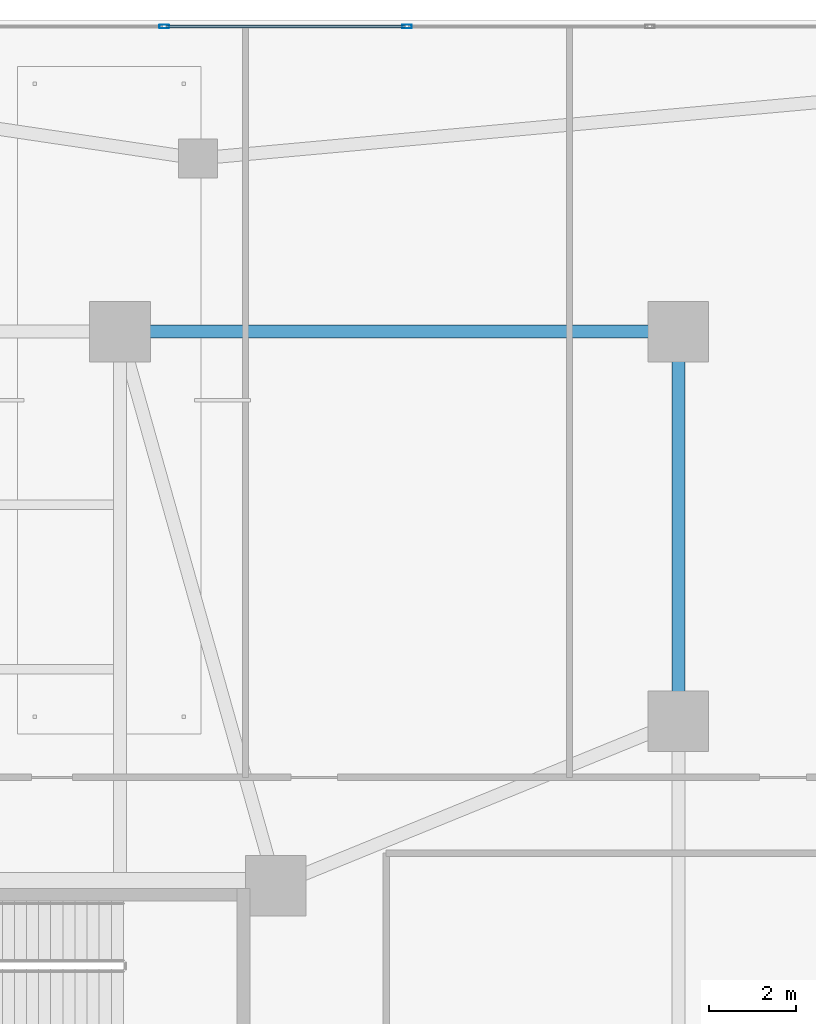
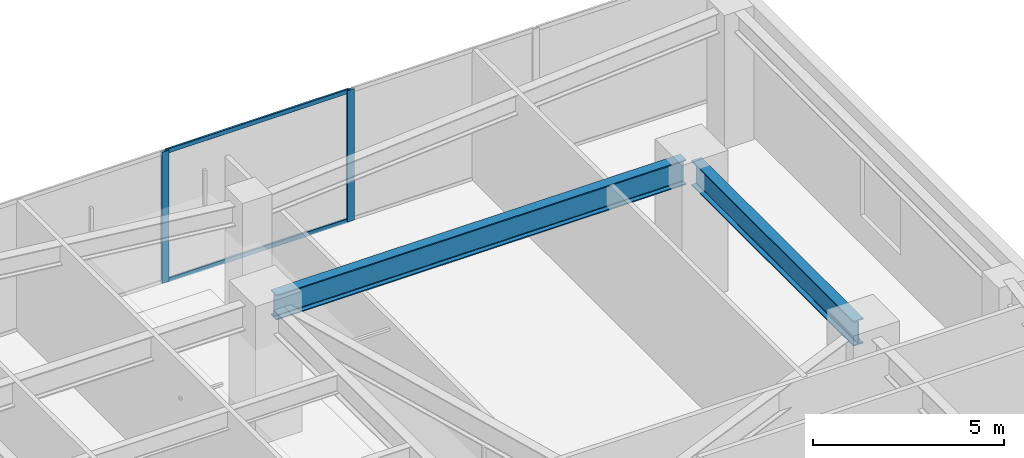
# One storey, part 13 of 29: 4 members, 2 beams, 1 element without a shape of its own.
"""IFC4 building model written with IfcOpenShell, lengths in metres."""

from ifc_helpers import new_model, si_unit, direction, frame, origin, origin_2d, place, context, subcontext, project, spatial, hollow_rectangle, i_section, extrude, material, layer, layer_set, material_profile, profile_set, type_object, element, aggregate, save


model = new_model("IFC4")

# Units and contexts
model_context = context("Model", 3, precision=1e-05, world=origin(), true_north=direction((0.0, 1.0)))
body_context = subcontext(model_context, "Body", "Model", "MODEL_VIEW")
ifc_project = project(units=[si_unit("LENGTHUNIT", "METRE"), si_unit("AREAUNIT", "SQUARE_METRE"), si_unit("VOLUMEUNIT", "CUBIC_METRE"), si_unit("PLANEANGLEUNIT", "RADIAN"), si_unit("MASSUNIT", "GRAM", prefix="KILO")], contexts=[model_context])

# Site, building, storey
site_placement = place(None, origin())
site = spatial("IfcSite", under=ifc_project, at=site_placement, CompositionType="ELEMENT")
building_placement = place(site_placement, origin())
building = spatial("IfcBuilding", under=site, at=building_placement, Name="Tarnavaz Court Tower", CompositionType="ELEMENT")
storey_placement = place(building_placement, frame((0.0, 0.0, 5.39990234375)))
storey = spatial("IfcBuildingStorey", under=building, at=storey_placement, Name="L01", CompositionType="ELEMENT", Elevation=5.39990234375)

# Beams
ifc_material_1 = material(Name="Steel S355", Category="steel")
ifc_material_profile_1 = material_profile(ifc_material_1, i_section(OverallWidth=0.300048828125, OverallDepth=0.800048828125, WebThickness=0.017578125, FlangeThickness=0.032958984375, FilletRadius=0.030029296875, at=origin_2d()), Name="HEB 800")
ifc_profile_set_1 = profile_set([ifc_material_profile_1], Name="Steel S355")
beam_type = type_object("IfcBeamType", Name="BM-G-HEB800", PredefinedType="USERDEFINED", material=ifc_profile_set_1)
beam_1_placement = place(storey_placement, frame((15.25, 22.800048828125, 3.800048828125), z_axis=(1.0, 0.0, 0.0), x_axis=(0.0, 1.0, 0.0)))
element("IfcBeam", 1, at=beam_1_placement, inside=storey, type_object=beam_type, Name="L01 Beam PM-PM-N3-PM-NE", ObjectType="GIRDER", PredefinedType="USERDEFINED", context=body_context, shape_type="SweptSolid", body=[
    extrude(i_section(OverallWidth=0.300048828125, OverallDepth=0.800048828125, WebThickness=0.017578125, FlangeThickness=0.032958984375, FilletRadius=0.030029296875, at=origin_2d()), origin(), (0.0, 0.0, 1.0), 12.39990234375),
])
beam_2_placement = place(storey_placement, frame((27.89990234375, 14.050048828125, 3.800048828125), z_axis=(0.0, 1.0, 0.0), x_axis=(-1.0, 0.0, 0.0)))
element("IfcBeam", 2, at=beam_2_placement, inside=storey, type_object=beam_type, Name="L01 Beam PM-PM-E3-PM-NE", ObjectType="GIRDER", PredefinedType="USERDEFINED", context=body_context, shape_type="SweptSolid", body=[
    extrude(i_section(OverallWidth=0.300048828125, OverallDepth=0.800048828125, WebThickness=0.017578125, FlangeThickness=0.032958984375, FilletRadius=0.030029296875, at=origin_2d()), origin(), (0.0, 0.0, 1.0), 8.5),
])

# Curtain wall, members
ifc_material_2 = material(Name="Anodised Aluminium 6063-T6 and Solar Low-E Glazing", Category="aluminium")
ifc_layer = layer(ifc_material_2, 0.18994140625)
ifc_layer_set = layer_set([ifc_layer], Name="Anodised Aluminium 6063-T6 and Solar Low-E Glazing")
curtain_wall_type = type_object("IfcCurtainWallType", Name="CW-SYS-01", PredefinedType="NOTDEFINED", material=ifc_layer_set)
curtain_wall_placement = place(storey_placement, origin())
curtain_wall = element("IfcCurtainWall", 3, at=curtain_wall_placement, inside=storey, type_object=curtain_wall_type, Name="L01 Clinic Podium Curtain Wall 1", PredefinedType="NOTDEFINED")
ifc_material_3 = material(Name="Anodised Aluminium 6063-T6", Category="aluminium")
ifc_material_profile_2 = material_profile(ifc_material_3, hollow_rectangle(XDim=0.0849609375, YDim=0.219970703125, WallThickness=0.006103515625, InnerFilletRadius=0.006103515625, OuterFilletRadius=0.011962890625, at=origin_2d()), Name="ALU RHS 220X85X6")
ifc_profile_set_2 = profile_set([ifc_material_profile_2], Name="Anodised Aluminium 6063-T6")
member_type_1 = type_object("IfcMemberType", Name="CW-MUL-220", PredefinedType="MULLION", material=ifc_profile_set_2)
member_1_placement = place(storey_placement, frame((16.022705078125, 29.85009765625, 0.0), z_axis=(0.0, 0.0, 1.0), x_axis=(0.0, 1.0, 0.0)))
member_1 = element("IfcMember", 4, at=member_1_placement, type_object=member_type_1, Name="CW mullion 9", PredefinedType="MULLION", context=body_context, shape_type="SweptSolid", body=[
    extrude(hollow_rectangle(XDim=0.0849609375, YDim=0.219970703125, WallThickness=0.006103515625, InnerFilletRadius=0.006103515625, OuterFilletRadius=0.011962890625, at=origin_2d()), origin(), (0.0, 0.0, 1.0), 4.2001953125),
])
member_2_placement = place(storey_placement, frame((21.6318359375, 29.85009765625, 0.0), z_axis=(0.0, 0.0, 1.0), x_axis=(0.0, 1.0, 0.0)))
member_2 = element("IfcMember", 5, at=member_2_placement, type_object=member_type_1, Name="CW mullion 10", PredefinedType="MULLION", context=body_context, shape_type="SweptSolid", body=[
    extrude(hollow_rectangle(XDim=0.0849609375, YDim=0.219970703125, WallThickness=0.006103515625, InnerFilletRadius=0.006103515625, OuterFilletRadius=0.011962890625, at=origin_2d()), origin(), (0.0, 0.0, 1.0), 4.2001953125),
])
ifc_material_profile_3 = material_profile(ifc_material_3, hollow_rectangle(XDim=0.06494140625, YDim=0.139892578125, WallThickness=0.00390625, InnerFilletRadius=0.00390625, OuterFilletRadius=0.008056640625, at=origin_2d()), Name="ALU RHS 140X65X4")
ifc_profile_set_3 = profile_set([ifc_material_profile_3], Name="Anodised Aluminium 6063-T6")
member_type_2 = type_object("IfcMemberType", Name="CW-TRN-140", PredefinedType="USERDEFINED", material=ifc_profile_set_3)
member_3_placement = place(storey_placement, frame((16.065185546875, 29.85009765625, 0.03271484375), z_axis=(1.0, 0.0, 0.0), x_axis=(0.0, 1.0, 0.0)))
member_3 = element("IfcMember", 6, at=member_3_placement, type_object=member_type_2, Name="CW transom 9.1", ObjectType="TRANSOM", PredefinedType="USERDEFINED", context=body_context, shape_type="SweptSolid", body=[
    extrude(hollow_rectangle(XDim=0.06494140625, YDim=0.139892578125, WallThickness=0.00390625, InnerFilletRadius=0.00390625, OuterFilletRadius=0.008056640625, at=origin_2d()), origin(), (0.0, 0.0, 1.0), 5.524169921875),
])
member_4_placement = place(storey_placement, frame((16.065185546875, 29.85009765625, 4.16748046875), z_axis=(1.0, 0.0, 0.0), x_axis=(0.0, 1.0, 0.0)))
member_4 = element("IfcMember", 7, at=member_4_placement, type_object=member_type_2, Name="CW transom 9.2", ObjectType="TRANSOM", PredefinedType="USERDEFINED", context=body_context, shape_type="SweptSolid", body=[
    extrude(hollow_rectangle(XDim=0.06494140625, YDim=0.139892578125, WallThickness=0.00390625, InnerFilletRadius=0.00390625, OuterFilletRadius=0.008056640625, at=origin_2d()), origin(), (0.0, 0.0, 1.0), 5.524169921875),
])
aggregate(curtain_wall, [member_1, member_2, member_3, member_4])

save(model, "model.ifc")
